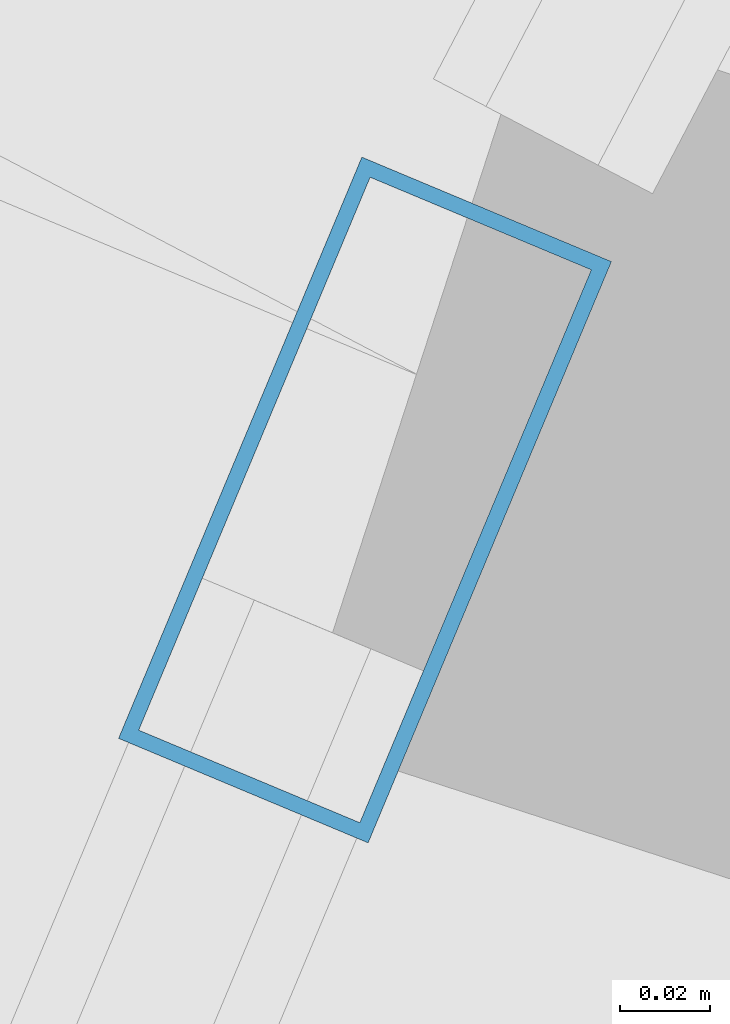
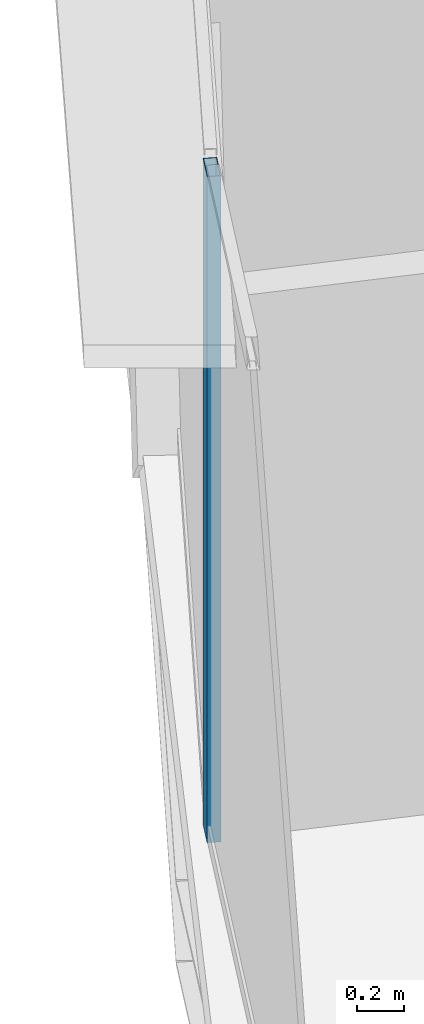
# One storey, part 8 of 37: 1 member, 1 element without a shape of its own.
"""IFC4 building model written with IfcOpenShell, lengths in metres."""

import ifcopenshell
import ifcopenshell.guid

model = None  # the IFC model being written
_history = None  # IfcOwnerHistory: only IFC2X3 demands one
_inside = {}  # id of a spatial element -> (the spatial element, [elements in it])
_under = {}  # id of a project, library or spatial element -> (it, [spatial elements below it])
_declared = {}  # id of a project -> (the project, [libraries it declares])
_typed = {}  # id of a type object -> (the type object, [elements of that type])
_made_of = {}  # id of a material, layer set ... -> (it, [elements and type objects made of it])


def new_model(schema):
    """Start an empty IFC model of exactly this schema.

    Asked for "IFC4X3", IfcOpenShell would pick the latest addendum, in which some entities
    have other attributes; the version numbers below select the first issue.
    IFC2X3 requires an IfcOwnerHistory on every rooted entity: one is made here for all.
    """
    global model, _history
    if schema == "IFC4X3":
        model = ifcopenshell.file(schema_version=(4, 3, 0, 0))
    else:
        model = ifcopenshell.file(schema=schema)
    _inside.clear()
    _under.clear()
    _declared.clear()
    _typed.clear()
    _made_of.clear()
    _history = None
    if model.schema == "IFC2X3":
        org = make("IfcOrganization", Name="unknown")
        user = make(
            "IfcPersonAndOrganization",
            ThePerson=make("IfcPerson", FamilyName="unknown"),
            TheOrganization=org,
        )
        app = make(
            "IfcApplication",
            ApplicationDeveloper=org,
            Version="unknown",
            ApplicationFullName="unknown",
            ApplicationIdentifier="unknown",
        )
        _history = make(
            "IfcOwnerHistory",
            OwningUser=user,
            OwningApplication=app,
            ChangeAction="ADDED",
            CreationDate=0,
        )
    return model


def make(cls, **values):
    """One entity of the class cls with the attributes given. An attribute that is None is left unset."""
    return model.create_entity(
        cls, **{name: value for name, value in values.items() if value is not None}
    )


def rooted(cls, **values):
    """An entity with a GlobalId (a new one), such as an element, a storey or a relation."""
    return make(cls, GlobalId=ifcopenshell.guid.new(), OwnerHistory=_history, **values)


def si_unit(unit_type, name, prefix=None):
    """IfcSIUnit, for example si_unit("LENGTHUNIT", "METRE", prefix="MILLI")."""
    return make("IfcSIUnit", UnitType=unit_type, Prefix=prefix, Name=name)


def assignment(units):
    """IfcUnitAssignment: the units of a project."""
    return None if units is None else make("IfcUnitAssignment", Units=units)


def point(xyz):
    """IfcCartesianPoint."""
    return None if xyz is None else make("IfcCartesianPoint", Coordinates=xyz)


def direction(xyz):
    """IfcDirection."""
    return None if xyz is None else make("IfcDirection", DirectionRatios=xyz)


def frame(location, z_axis=None, x_axis=None):
    """IfcAxis2Placement3D, a coordinate frame: its origin and axes. An axis left out is left unset."""
    return make(
        "IfcAxis2Placement3D",
        Location=point(location),
        Axis=direction(z_axis),
        RefDirection=direction(x_axis),
    )


def frame_2d(location, x_axis=None):
    """IfcAxis2Placement2D, a coordinate frame in the plane: its origin and x axis."""
    return make(
        "IfcAxis2Placement2D", Location=point(location), RefDirection=direction(x_axis)
    )


def origin():
    """The frame at (0, 0, 0) with its axes left unset."""
    return frame((0.0, 0.0, 0.0))


def origin_2d():
    """The frame at (0, 0) in the plane with its x axis left unset."""
    return frame_2d((0.0, 0.0))


def place(relative_to, where):
    """IfcLocalPlacement: puts the frame where relative to a parent placement (None: the world)."""
    return make(
        "IfcLocalPlacement", PlacementRelTo=relative_to, RelativePlacement=where
    )


def context(
    kind, dimensions, precision=None, world=None, true_north=None, identifier=None
):
    """IfcGeometricRepresentationContext, for example the 3D "Model" context."""
    return make(
        "IfcGeometricRepresentationContext",
        ContextIdentifier=identifier,
        ContextType=kind,
        CoordinateSpaceDimension=dimensions,
        Precision=precision,
        WorldCoordinateSystem=world,
        TrueNorth=true_north,
    )


def subcontext(parent, identifier, kind, view, scale=None):
    """IfcGeometricRepresentationSubContext, for example "Body" below "Model"."""
    return make(
        "IfcGeometricRepresentationSubContext",
        ContextIdentifier=identifier,
        ContextType=kind,
        ParentContext=parent,
        TargetScale=scale,
        TargetView=view,
    )


def project(units=None, contexts=None):
    """IfcProject with its units and contexts."""
    return rooted(
        "IfcProject",
        Name="project",
        RepresentationContexts=contexts,
        UnitsInContext=assignment(units),
    )


def spatial(cls, under=None, at=None, **own):
    """A site, building, storey or space (cls), placed at a placement, below another one or the project."""
    s = rooted(cls, ObjectPlacement=at, **own)
    if under is not None:
        _under.setdefault(under.id(), (under, []))[1].append(s)
    return s


def profile(cls, at=None, kind="AREA", **sizes):
    """A parametric profile (cls). Its sizes go by their IFC names, for example OverallWidth=200.0."""
    return make(cls, ProfileType=kind, Position=at, **sizes)


def hollow_rectangle(**sizes):
    """IfcRectangleHollowProfileDef."""
    return profile("IfcRectangleHollowProfileDef", **sizes)


def extrude(swept, where, along, depth):
    """IfcExtrudedAreaSolid: the profile swept, set in the frame where, extruded along a direction by depth."""
    return make(
        "IfcExtrudedAreaSolid",
        SweptArea=swept,
        Position=where,
        ExtrudedDirection=direction(along),
        Depth=depth,
    )


def shape(context_of_items, identifier, shape_type, items):
    """IfcShapeRepresentation: the items that make up one representation, for example the "Body"."""
    return make(
        "IfcShapeRepresentation",
        ContextOfItems=context_of_items,
        RepresentationIdentifier=identifier,
        RepresentationType=shape_type,
        Items=items,
    )


def source(mapping_origin, context_of_items, identifier, shape_type, items):
    """IfcRepresentationMap: a shape defined once, which mapped items show again and again."""
    return make(
        "IfcRepresentationMap",
        MappingOrigin=mapping_origin,
        MappedRepresentation=shape(context_of_items, identifier, shape_type, items),
    )


def transform(
    local_origin,
    x_axis=None,
    y_axis=None,
    z_axis=None,
    scale=None,
    scale2=None,
    scale3=None,
    uniform=True,
):
    """IfcCartesianTransformationOperator3D, or its non-uniform kind. x_axis, y_axis, z_axis: its Axis1, 2, 3."""
    if uniform:
        return make(
            "IfcCartesianTransformationOperator3D",
            Axis1=direction(x_axis),
            Axis2=direction(y_axis),
            LocalOrigin=point(local_origin),
            Scale=scale,
            Axis3=direction(z_axis),
        )
    return make(
        "IfcCartesianTransformationOperator3DnonUniform",
        Axis1=direction(x_axis),
        Axis2=direction(y_axis),
        LocalOrigin=point(local_origin),
        Scale=scale,
        Axis3=direction(z_axis),
        Scale2=scale2,
        Scale3=scale3,
    )


def mapped(mapping_source, mapping_target):
    """IfcMappedItem: shows the shape of a source again, moved by a transform."""
    return make(
        "IfcMappedItem", MappingSource=mapping_source, MappingTarget=mapping_target
    )


def material(Name=None, Category=None):
    """IfcMaterial."""
    return make("IfcMaterial", Name=Name, Category=Category)


def layer(
    of_material, thickness, ventilated=None, Name=None, Category=None, Priority=None
):
    """IfcMaterialLayer: one layer of a wall or slab, of a material (None: an air gap)."""
    return make(
        "IfcMaterialLayer",
        Material=of_material,
        LayerThickness=thickness,
        IsVentilated=ventilated,
        Name=Name,
        Category=Category,
        Priority=Priority,
    )


def layer_set(layers, Name=None):
    """IfcMaterialLayerSet."""
    return make("IfcMaterialLayerSet", MaterialLayers=layers, LayerSetName=Name)


def material_profile(
    of_material, cross_section, Name=None, Category=None, Priority=None
):
    """IfcMaterialProfile: a cross section and its material."""
    return make(
        "IfcMaterialProfile",
        Name=Name,
        Material=of_material,
        Profile=cross_section,
        Priority=Priority,
        Category=Category,
    )


def profile_set(profiles, Name=None, composite=None):
    """IfcMaterialProfileSet."""
    return make(
        "IfcMaterialProfileSet",
        Name=Name,
        MaterialProfiles=profiles,
        CompositeProfile=composite,
    )


def made_of(thing, what):
    """Note that an element or type object is made of a material, layer set ...; save() writes the relation."""
    if what is not None:
        _made_of.setdefault(what.id(), (what, []))[1].append(thing)
    return thing


def type_object(cls, material=None, **own):
    """A type object (cls), such as IfcWallType, which elements share."""
    return made_of(rooted(cls, **own), material)


def element(
    cls,
    number,
    at=None,
    inside=None,
    cuts=None,
    type_object=None,
    material=None,
    context=None,
    identifier="Body",
    shape_type=None,
    held_by="IfcProductDefinitionShape",
    body=None,
    shapes=None,
    **own,
):
    """One element of the class cls, such as IfcWall. Its Tag is "e" and its number.

    at: its placement. inside: the storey or other place that contains it. cuts: it is an
    opening in that element (IfcRelVoidsElement). A single representation is given by context,
    identifier, shape_type and body (its items); several are given by shapes. held_by: the class
    of the entity that holds the representations. save() writes the other relations.
    """
    e = rooted(cls, Tag="e%d" % number, ObjectPlacement=at, **own)
    if body is not None:
        shapes = [shape(context, identifier, shape_type, body)]
    if shapes is not None:
        e.Representation = make(held_by, Representations=shapes)
    if inside is not None:
        _inside.setdefault(inside.id(), (inside, []))[1].append(e)
    if cuts is not None:
        rooted(
            "IfcRelVoidsElement", RelatingBuildingElement=cuts, RelatedOpeningElement=e
        )
    if type_object is not None:
        _typed.setdefault(type_object.id(), (type_object, []))[1].append(e)
    return made_of(e, material)


def aggregate(whole, parts):
    """IfcRelAggregates: a whole, such as a stair, and the parts it consists of."""
    return rooted("IfcRelAggregates", RelatingObject=whole, RelatedObjects=parts)


def save(model, path):
    """Write the relations noted so far, then the file.

    IfcRelAggregates (storeys below a building ...), IfcRelContainedInSpatialStructure (elements
    in a storey), IfcRelDefinesByType, IfcRelAssociatesMaterial and IfcRelDeclares: one each for
    every whole, place, type object, material and project.
    """
    for whole, parts in _under.values():
        aggregate(whole, parts)
    for where, things in _inside.values():
        rooted(
            "IfcRelContainedInSpatialStructure",
            RelatedElements=things,
            RelatingStructure=where,
        )
    for kind, things in _typed.values():
        rooted("IfcRelDefinesByType", RelatedObjects=things, RelatingType=kind)
    for what, things in _made_of.values():
        rooted("IfcRelAssociatesMaterial", RelatedObjects=things, RelatingMaterial=what)
    for by, libraries in _declared.values():
        rooted("IfcRelDeclares", RelatingContext=by, RelatedDefinitions=libraries)
    model.write(path)


model = new_model("IFC4")

# Units and contexts
model_context = context("Model", 3, precision=1e-05, world=origin(), true_north=direction((0.0, 1.0)))
body_context = subcontext(model_context, "Body", "Model", "MODEL_VIEW")
ifc_project = project(units=[si_unit("LENGTHUNIT", "METRE"), si_unit("AREAUNIT", "SQUARE_METRE"), si_unit("VOLUMEUNIT", "CUBIC_METRE"), si_unit("PLANEANGLEUNIT", "RADIAN"), si_unit("MASSUNIT", "GRAM", prefix="KILO"), si_unit("THERMODYNAMICTEMPERATUREUNIT", "KELVIN"), si_unit("POWERUNIT", "WATT")], contexts=[model_context])

# Site, building, storey
site_placement = place(None, origin())
site = spatial("IfcSite", under=ifc_project, at=site_placement, CompositionType="ELEMENT")
building_placement = place(site_placement, origin())
building = spatial("IfcBuilding", under=site, at=building_placement, Name="Yunzhuo Pagoda Commons", CompositionType="ELEMENT")
storey_placement = place(building_placement, frame((0.0, 0.0, 259.449951171875)))
storey = spatial("IfcBuildingStorey", under=building, at=storey_placement, Name="L65", CompositionType="ELEMENT", Elevation=259.449951171875)

# Curtain wall, member
ifc_material = material(Name="Anodized aluminium 6063-T6", Category="aluminium")
ifc_layer = layer(ifc_material, 0.139892578125)
ifc_layer_set = layer_set([ifc_layer], Name="Anodized aluminium 6063-T6")
curtain_wall_type = type_object("IfcCurtainWallType", Name="CW-HI High-Zone Ribbon Curtain Wall", PredefinedType="NOTDEFINED", material=ifc_layer_set)
curtain_wall_placement = place(storey_placement, origin())
curtain_wall = element("IfcCurtainWall", 1, at=curtain_wall_placement, inside=storey, type_object=curtain_wall_type, Name="L65 curtain wall CW-L65-F3B4", PredefinedType="NOTDEFINED")
ifc_material_profile = material_profile(ifc_material, hollow_rectangle(XDim=0.06005859375, YDim=0.139892578125, WallThickness=0.00341796875, at=origin_2d()), Name="Anodized aluminium 6063-T6")
ifc_profile_set = profile_set([ifc_material_profile], Name="Anodized aluminium 6063-T6")
member_type = type_object("IfcMemberType", Name="CW-HI-M Mullion RHS 140x60x3.5", PredefinedType="MULLION", material=ifc_profile_set)
shared_shape = source(origin(), body_context, "Body", "SweptSolid", [
    extrude(hollow_rectangle(XDim=0.06005859375, YDim=0.139892578125, WallThickness=0.00341796875, at=origin_2d()), origin(), (0.0, 0.0, 1.0), 3.469970703125),
])
member_placement = place(storey_placement, frame((20.4423828125, 42.62255859375, 0.0), z_axis=(0.0, 0.0, 1.0), x_axis=(0.922450521644, -0.38611531324, 0.0)))
member = element("IfcMember", 2, at=member_placement, type_object=member_type, Name="CW mullion 1", PredefinedType="MULLION", context=body_context, shape_type="MappedRepresentation", body=[
    mapped(shared_shape, transform((0.0, 0.0, 0.0), scale=1.0)),
])
aggregate(curtain_wall, [member])

save(model, "model.ifc")
